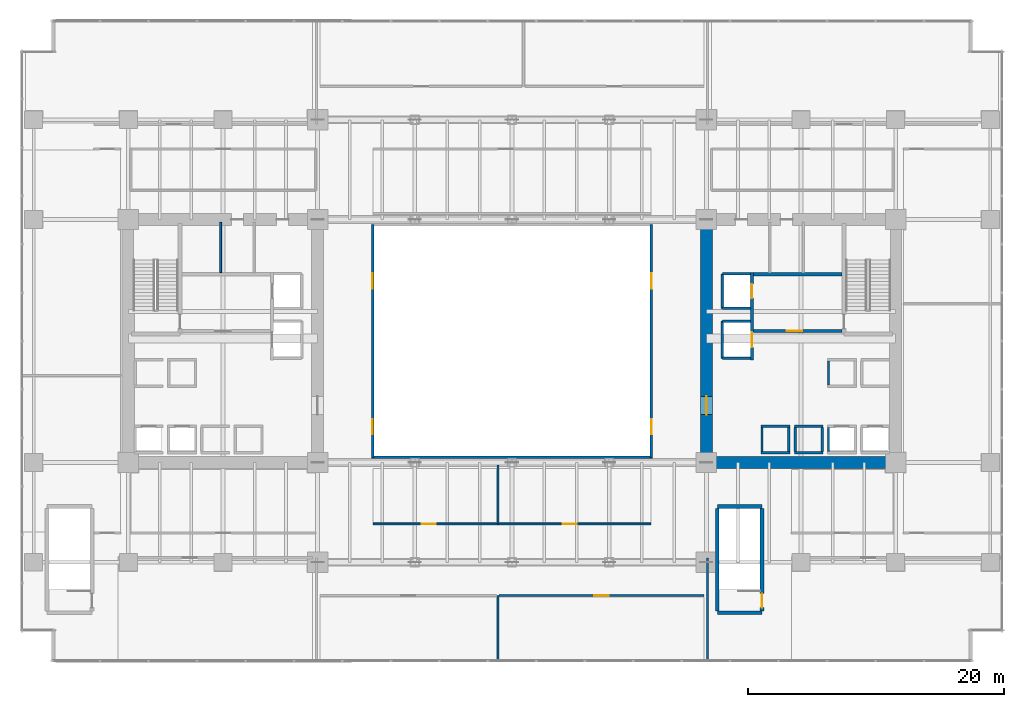
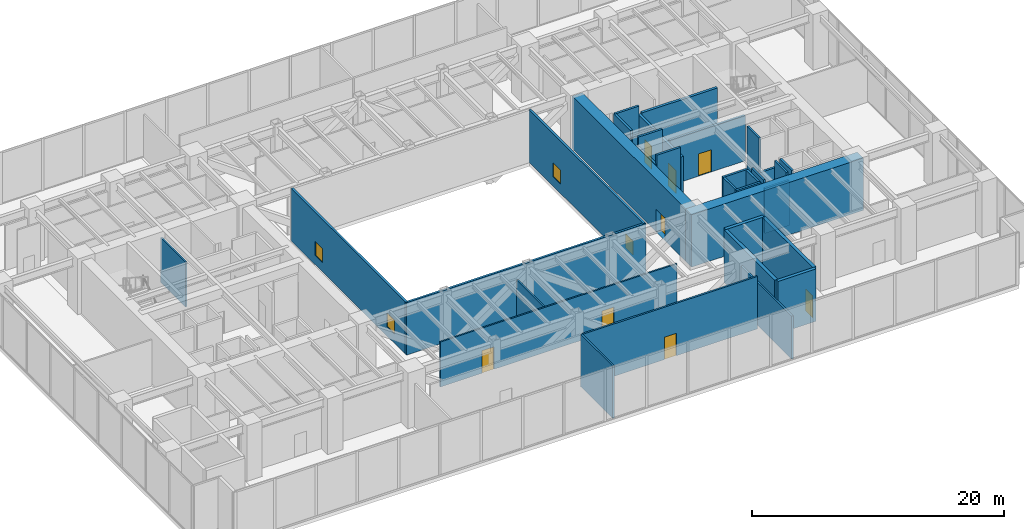
# One storey, part 29 of 35: 34 walls, 8 doors, 4 windows, 12 openings.
"""IFC4 building model written with IfcOpenShell, lengths in metres."""

from ifc_helpers import new_model, si_unit, direction, frame, frame_2d, origin, place, context, subcontext, project, spatial, rectangle, extrude, source, transform, mapped, material, layer, layer_set, type_object, type_shapes, element, fill, save


model = new_model("IFC4")

# Units and contexts
model_context = context("Model", 3, precision=1e-05, world=origin(), true_north=direction((0.0, 1.0)))
body_context = subcontext(model_context, "Body", "Model", "MODEL_VIEW")
ifc_project = project(units=[si_unit("LENGTHUNIT", "METRE"), si_unit("AREAUNIT", "SQUARE_METRE"), si_unit("VOLUMEUNIT", "CUBIC_METRE"), si_unit("PLANEANGLEUNIT", "RADIAN"), si_unit("MASSUNIT", "GRAM", prefix="KILO")], contexts=[model_context])

# Site, building, storey
site_placement = place(None, origin())
site = spatial("IfcSite", under=ifc_project, at=site_placement, CompositionType="ELEMENT")
building_placement = place(site_placement, origin())
building = spatial("IfcBuilding", under=site, at=building_placement, Name="Haelvirn Gate Laboratories", CompositionType="ELEMENT")
storey_placement = place(building_placement, frame((0.0, 0.0, 19.800048828125)))
storey = spatial("IfcBuildingStorey", under=building, at=storey_placement, Name="L05", CompositionType="ELEMENT", Elevation=19.800048828125)

# Wall, openings, windows
ifc_material_1 = material(Name="Tempered fire-rated borosilicate glass & anodised aluminium", Category="aluminium")
ifc_layer_1 = layer(ifc_material_1, 0.195068359375, Name="IW-GLAZ-200")
ifc_layer_set_1 = layer_set([ifc_layer_1], Name="Tempered fire-rated borosilicate glass & anodised aluminium")
wall_type_1 = type_object("IfcWallType", Name="IW-GLAZ-200", PredefinedType="SOLIDWALL", material=ifc_layer_set_1)
wall_1_placement = place(storey_placement, frame((26.5, 15.199951171875, 0.0), z_axis=(0.0, 0.0, 1.0), x_axis=(0.0, 1.0, 0.0)))
wall_1 = element("IfcWall", 1, at=wall_1_placement, inside=storey, type_object=wall_type_1, Name="L05 Interior Wall IW-L05-ATRIUM-W", PredefinedType="SOLIDWALL", context=body_context, shape_type="SweptSolid", body=[
    extrude(rectangle(XDim=18.199951171875, YDim=0.195068359375, at=frame_2d((9.10009765625, 0.0))), origin(), (0.0, 0.0, 1.0), 5.079833984375),
])
opening_1_placement = place(wall_1_placement, frame((1.800048828125, 0.0, 0.89990234375)))
opening_1 = element("IfcOpeningElement", 2, at=opening_1_placement, cuts=wall_1, Name="Opening W6", PredefinedType="OPENING", context=body_context, shape_type="SweptSolid", body=[
    extrude(rectangle(XDim=1.199951171875, YDim=1.35009765625, at=frame_2d((0.60009765625, 0.675048828125))), frame((0.0, 0.107421875, 0.0), z_axis=(0.0, -1.0, 0.0), x_axis=(1.0, 0.0, 0.0)), (0.0, 0.0, 1.0), 0.215087890625),
])
opening_2_placement = place(wall_1_placement, frame((13.199951171875, 0.0, 0.89990234375)))
opening_2 = element("IfcOpeningElement", 3, at=opening_2_placement, cuts=wall_1, Name="Opening W6", PredefinedType="OPENING", context=body_context, shape_type="SweptSolid", body=[
    extrude(rectangle(XDim=1.199951171875, YDim=1.35009765625, at=frame_2d((0.60009765625, 0.675048828125))), frame((0.0, 0.107421875, 0.0), z_axis=(0.0, -1.0, 0.0), x_axis=(1.0, 0.0, 0.0)), (0.0, 0.0, 1.0), 0.215087890625),
])
ifc_material_2 = material(Name="Fire-rated EI 120 borosilicate atrium vision glazing", Category="glass")
window_type = type_object("IfcWindowType", Name="WN-ATR-1200", PartitioningType="SINGLE_PANEL", PredefinedType="WINDOW", material=ifc_material_2)
shared_shape_1 = source(origin(), body_context, "Body", "SweptSolid", [
    extrude(rectangle(XDim=1.199951171875, YDim=1.35009765625, at=frame_2d((0.60009765625, 0.675048828125))), frame((0.0, 0.030029296875, 0.0), z_axis=(0.0, -1.0, 0.0), x_axis=(1.0, 0.0, 0.0)), (0.0, 0.0, 1.0), 0.06005859375),
])
type_shapes(window_type, [shared_shape_1])
window_1_placement = place(opening_1_placement, origin())
window_1 = element("IfcWindow", 4, at=window_1_placement, inside=storey, type_object=window_type, Name="L05 Atrium Observation Window 1", OverallHeight=1.35009765625, OverallWidth=1.199951171875, PartitioningType="SINGLE_PANEL", PredefinedType="WINDOW", context=body_context, shape_type="MappedRepresentation", body=[
    mapped(shared_shape_1, transform((0.0, 0.0, 0.0), scale=1.0)),
])
fill(opening_1, window_1)
window_2_placement = place(opening_2_placement, origin())
window_2 = element("IfcWindow", 5, at=window_2_placement, inside=storey, type_object=window_type, Name="L05 Atrium Observation Window 2", OverallHeight=1.35009765625, OverallWidth=1.199951171875, PartitioningType="SINGLE_PANEL", PredefinedType="WINDOW", context=body_context, shape_type="MappedRepresentation", body=[
    mapped(shared_shape_1, transform((0.0, 0.0, 0.0), scale=1.0)),
])
fill(opening_2, window_2)

wall_2_placement = place(storey_placement, frame((48.300048828125, 15.199951171875, 0.0), z_axis=(0.0, 0.0, 1.0), x_axis=(0.0, 1.0, 0.0)))
wall_2 = element("IfcWall", 6, at=wall_2_placement, inside=storey, type_object=wall_type_1, Name="L05 Interior Wall IW-L05-ATRIUM-E", PredefinedType="SOLIDWALL", context=body_context, shape_type="SweptSolid", body=[
    extrude(rectangle(XDim=18.199951171875, YDim=0.195068359375, at=frame_2d((9.10009765625, 0.0))), origin(), (0.0, 0.0, 1.0), 5.079833984375),
])
opening_3_placement = place(wall_2_placement, frame((1.800048828125, 0.0, 0.89990234375)))
opening_3 = element("IfcOpeningElement", 7, at=opening_3_placement, cuts=wall_2, Name="Opening W6", PredefinedType="OPENING", context=body_context, shape_type="SweptSolid", body=[
    extrude(rectangle(XDim=1.199951171875, YDim=1.35009765625, at=frame_2d((0.60009765625, 0.675048828125))), frame((0.0, 0.107421875, 0.0), z_axis=(0.0, -1.0, 0.0), x_axis=(1.0, 0.0, 0.0)), (0.0, 0.0, 1.0), 0.215087890625),
])
opening_4_placement = place(wall_2_placement, frame((13.199951171875, 0.0, 0.89990234375)))
opening_4 = element("IfcOpeningElement", 8, at=opening_4_placement, cuts=wall_2, Name="Opening W6", PredefinedType="OPENING", context=body_context, shape_type="SweptSolid", body=[
    extrude(rectangle(XDim=1.199951171875, YDim=1.35009765625, at=frame_2d((0.60009765625, 0.675048828125))), frame((0.0, 0.107421875, 0.0), z_axis=(0.0, -1.0, 0.0), x_axis=(1.0, 0.0, 0.0)), (0.0, 0.0, 1.0), 0.215087890625),
])
window_3_placement = place(opening_3_placement, origin())
window_3 = element("IfcWindow", 9, at=window_3_placement, inside=storey, type_object=window_type, Name="L05 Atrium Observation Window 1", OverallHeight=1.35009765625, OverallWidth=1.199951171875, PartitioningType="SINGLE_PANEL", PredefinedType="WINDOW", context=body_context, shape_type="MappedRepresentation", body=[
    mapped(shared_shape_1, transform((0.0, 0.0, 0.0), scale=1.0)),
])
fill(opening_3, window_3)
window_4_placement = place(opening_4_placement, origin())
window_4 = element("IfcWindow", 10, at=window_4_placement, inside=storey, type_object=window_type, Name="L05 Atrium Observation Window 2", OverallHeight=1.35009765625, OverallWidth=1.199951171875, PartitioningType="SINGLE_PANEL", PredefinedType="WINDOW", context=body_context, shape_type="MappedRepresentation", body=[
    mapped(shared_shape_1, transform((0.0, 0.0, 0.0), scale=1.0)),
])
fill(opening_4, window_4)

# Walls
wall_3_placement = place(storey_placement, frame((26.39990234375, 15.199951171875, 0.0), z_axis=(0.0, 0.0, 1.0), x_axis=(1.0, 0.0, 0.0)))
element("IfcWall", 11, at=wall_3_placement, inside=storey, type_object=wall_type_1, Name="L05 Interior Wall IW-L05-ATRIUM-S", PredefinedType="SOLIDWALL", context=body_context, shape_type="SweptSolid", body=[
    extrude(rectangle(XDim=22.0, YDim=0.195068359375, at=frame_2d((11.0, 0.0))), origin(), (0.0, 0.0, 1.0), 5.079833984375),
])
ifc_material_3 = material(Name="Acoustic mineral-wool gypsum board partition", Category="gypsum")
ifc_layer_2 = layer(ifc_material_3, 0.139892578125, Name="IW-PART-140")
ifc_layer_set_2 = layer_set([ifc_layer_2], Name="Acoustic mineral-wool gypsum board partition")
wall_type_2 = type_object("IfcWallType", Name="IW-PART-140", PredefinedType="PARTITIONING", material=ifc_layer_set_2)
wall_4_placement = place(storey_placement, frame((36.300048828125, 10.0, 0.0), z_axis=(0.0, 0.0, 1.0), x_axis=(0.0, 1.0, 0.0)))
element("IfcWall", 12, at=wall_4_placement, inside=storey, type_object=wall_type_2, Name="L05 Interior Wall IW-L05-IS-DIV", PredefinedType="PARTITIONING", context=body_context, shape_type="SweptSolid", body=[
    extrude(rectangle(XDim=4.60009765625, YDim=0.139892578125, at=frame_2d((2.300048828125, 0.0))), origin(), (0.0, 0.0, 1.0), 4.1650390625),
])

# Wall, openings, doors
wall_5_placement = place(storey_placement, frame((26.550048828125, 10.0, 0.0), z_axis=(0.0, 0.0, 1.0), x_axis=(1.0, 0.0, 0.0)))
wall_5 = element("IfcWall", 13, at=wall_5_placement, inside=storey, type_object=wall_type_2, Name="L05 Interior Wall IW-L05-IS1", PredefinedType="PARTITIONING", context=body_context, shape_type="SweptSolid", body=[
    extrude(rectangle(XDim=21.699951171875, YDim=0.139892578125, at=frame_2d((10.85009765625, 0.0))), origin(), (0.0, 0.0, 1.0), 4.364990234375),
])
opening_5_placement = place(wall_5_placement, frame((3.800048828125, 0.0, 0.0)))
opening_5 = element("IfcOpeningElement", 14, at=opening_5_placement, cuts=wall_5, Name="Opening D1", PredefinedType="OPENING", context=body_context, shape_type="SweptSolid", body=[
    extrude(rectangle(XDim=1.10009765625, YDim=2.179931640625, at=frame_2d((0.550048828125, 1.08984375))), frame((0.0, 0.080078125, 0.0), z_axis=(0.0, -1.0, 0.0), x_axis=(1.0, 0.0, 0.0)), (0.0, 0.0, 1.0), 0.159912109375),
])
opening_6_placement = place(wall_5_placement, frame((14.800048828125, 0.0, 0.0)))
opening_6 = element("IfcOpeningElement", 15, at=opening_6_placement, cuts=wall_5, Name="Opening D1", PredefinedType="OPENING", context=body_context, shape_type="SweptSolid", body=[
    extrude(rectangle(XDim=1.10009765625, YDim=2.179931640625, at=frame_2d((0.550048828125, 1.08984375))), frame((0.0, 0.080078125, 0.0), z_axis=(0.0, -1.0, 0.0), x_axis=(1.0, 0.0, 0.0)), (0.0, 0.0, 1.0), 0.159912109375),
])
ifc_material_4 = material(Name="Vision-panel acoustic solid-core timber lab door", Category="wood")
door_type_1 = type_object("IfcDoorType", Name="DR-LAB-1100", OperationType="NOTDEFINED", PredefinedType="DOOR", material=ifc_material_4)
shared_shape_2 = source(origin(), body_context, "Body", "SweptSolid", [
    extrude(rectangle(XDim=1.10009765625, YDim=2.179931640625, at=frame_2d((0.550048828125, 1.08984375))), frame((0.0, 0.02490234375, 0.0), z_axis=(0.0, -1.0, 0.0), x_axis=(1.0, 0.0, 0.0)), (0.0, 0.0, 1.0), 0.050048828125),
])
type_shapes(door_type_1, [shared_shape_2])
door_1_placement = place(opening_5_placement, origin())
door_1 = element("IfcDoor", 16, at=door_1_placement, inside=storey, type_object=door_type_1, Name="L05 Break Pantry Door", OperationType="SINGLE_SWING_LEFT", OverallHeight=2.179931640625, OverallWidth=1.10009765625, PredefinedType="DOOR", context=body_context, shape_type="MappedRepresentation", body=[
    mapped(shared_shape_2, transform((0.0, 0.0, 0.0), scale=1.0)),
])
fill(opening_5, door_1)
door_2_placement = place(opening_6_placement, origin())
door_2 = element("IfcDoor", 17, at=door_2_placement, inside=storey, type_object=door_type_1, Name="L05 Proteomics Lab Door", OperationType="SINGLE_SWING_RIGHT", OverallHeight=2.179931640625, OverallWidth=1.10009765625, PredefinedType="DOOR", context=body_context, shape_type="MappedRepresentation", body=[
    mapped(shared_shape_2, transform((0.0, 0.0, 0.0), scale=1.0)),
])
fill(opening_6, door_2)

# Wall, opening, door
ifc_material_5 = material(Name="Moisture-resistant gypsum laboratory partition", Category="gypsum")
ifc_layer_3 = layer(ifc_material_5, 0.1650390625, Name="IW-PART-160")
ifc_layer_set_3 = layer_set([ifc_layer_3], Name="Moisture-resistant gypsum laboratory partition")
wall_type_3 = type_object("IfcWallType", Name="IW-PART-160", PredefinedType="PARTITIONING", material=ifc_layer_set_3)
wall_6_placement = place(storey_placement, frame((36.39990234375, 4.39990234375, 0.0), z_axis=(0.0, 0.0, 1.0), x_axis=(1.0, 0.0, 0.0)))
wall_6 = element("IfcWall", 18, at=wall_6_placement, inside=storey, type_object=wall_type_3, Name="L05 Interior Wall IW-L05-SOW-3", PredefinedType="PARTITIONING", context=body_context, shape_type="SweptSolid", body=[
    extrude(rectangle(XDim=16.0, YDim=0.1650390625, at=frame_2d((8.0, 0.0))), origin(), (0.0, 0.0, 1.0), 5.079833984375),
])
opening_7_placement = place(wall_6_placement, frame((7.449951171875, 0.0, 0.0)))
opening_7 = element("IfcOpeningElement", 19, at=opening_7_placement, cuts=wall_6, Name="Opening D1", PredefinedType="OPENING", context=body_context, shape_type="SweptSolid", body=[
    extrude(rectangle(XDim=1.10009765625, YDim=2.179931640625, at=frame_2d((0.550048828125, 1.08984375))), frame((0.0, 0.092529296875, 0.0), z_axis=(0.0, -1.0, 0.0), x_axis=(1.0, 0.0, 0.0)), (0.0, 0.0, 1.0), 0.18505859375),
])
door_3_placement = place(opening_7_placement, origin())
door_3 = element("IfcDoor", 20, at=door_3_placement, inside=storey, type_object=door_type_1, Name="L05 Genomics Assay Laboratory Door", OperationType="SINGLE_SWING_LEFT", OverallHeight=2.179931640625, OverallWidth=1.10009765625, PredefinedType="DOOR", context=body_context, shape_type="MappedRepresentation", body=[
    mapped(shared_shape_2, transform((0.0, 0.0, 0.0), scale=1.0)),
])
fill(opening_7, door_3)

# Walls
wall_7_placement = place(storey_placement, frame((36.300048828125, -0.679931640625, 0.0), z_axis=(0.0, 0.0, 1.0), x_axis=(0.0, 1.0, 0.0)))
element("IfcWall", 21, at=wall_7_placement, inside=storey, type_object=wall_type_3, Name="L05 Interior Wall IW-L05-SODIV-M", PredefinedType="PARTITIONING", context=body_context, shape_type="SweptSolid", body=[
    extrude(rectangle(XDim=5.079833984375, YDim=0.1650390625, at=frame_2d((2.5400390625, 0.0))), origin(), (0.0, 0.0, 1.0), 5.079833984375),
])
wall_8_placement = place(storey_placement, frame((52.699951171875, -0.679931640625, 0.0), z_axis=(0.0, 0.0, 1.0), x_axis=(0.0, 1.0, 0.0)))
element("IfcWall", 22, at=wall_8_placement, inside=storey, type_object=wall_type_3, Name="L05 Interior Wall IW-L05-SODIV-E", PredefinedType="PARTITIONING", context=body_context, shape_type="SweptSolid", body=[
    extrude(rectangle(XDim=8.030029296875, YDim=0.1650390625, at=frame_2d((4.01513671875, 0.0))), origin(), (0.0, 0.0, 1.0), 4.1650390625),
])
ifc_material_6 = material(Name="Cement-board restroom plumbing chase wall", Category="gypsum")
ifc_layer_4 = layer(ifc_material_6, 0.155029296875, Name="IW-PLUMB-160")
ifc_layer_set_4 = layer_set([ifc_layer_4], Name="Cement-board restroom plumbing chase wall")
wall_type_4 = type_object("IfcWallType", Name="IW-PLUMB-160", PredefinedType="PLUMBINGWALL", material=ifc_layer_set_4)
wall_9_placement = place(storey_placement, frame((14.610107421875, 29.64990234375, 0.0), z_axis=(0.0, 0.0, 1.0), x_axis=(0.0, 1.0, 0.0)))
element("IfcWall", 23, at=wall_9_placement, inside=storey, type_object=wall_type_4, Name="L05 Interior Wall IW-L05-W-CDIV-0", PredefinedType="PLUMBINGWALL", context=body_context, shape_type="SweptSolid", body=[
    extrude(rectangle(XDim=3.93017578125, YDim=0.155029296875, at=frame_2d((1.965087890625, 0.0))), origin(), (0.0, 0.0, 1.0), 4.364990234375),
])
ifc_material_7 = material(Name="Concrete C40/50", Category="concrete")
ifc_layer_5 = layer(ifc_material_7, 0.179931640625, Name="IW-SHAFT-180")
ifc_layer_set_5 = layer_set([ifc_layer_5], Name="Concrete C40/50")
wall_type_5 = type_object("IfcWallType", Name="IW-SHAFT-180", PredefinedType="SOLIDWALL", material=ifc_layer_set_5)
for number, where, z_axis, x_axis, name in (
    (24, (62.14990234375, 15.64990234375, 0.0), (0.0, 0.0, 1.0), (0.0, 1.0, 0.0), "L05 Interior Wall IW-L05-PL4-SD"),
    (25, (59.550048828125, 15.64990234375, 0.0), (0.0, 0.0, 1.0), (0.0, 1.0, 0.0), "L05 Interior Wall IW-L05-PL7-SD"),
    (26, (61.64990234375, 15.64990234375, 0.0), (0.0, 0.0, 1.0), (0.0, 1.0, 0.0), "L05 Interior Wall IW-L05-PL7-SDE"),
    (27, (56.949951171875, 15.64990234375, 0.0), (0.0, 0.0, 1.0), (0.0, 1.0, 0.0), "L05 Interior Wall IW-L05-PL8-SD"),
    (28, (59.050048828125, 15.64990234375, 0.0), (0.0, 0.0, 1.0), (0.0, 1.0, 0.0), "L05 Interior Wall IW-L05-PL8-SDE"),
):
    element("IfcWall", number, at=place(storey_placement, frame(where, z_axis=z_axis, x_axis=x_axis)), inside=storey, type_object=wall_type_5, Name=name, PredefinedType="SOLIDWALL", context=body_context, shape_type="SweptSolid", body=[
        extrude(rectangle(XDim=1.900146484375, YDim=0.179931640625, at=frame_2d((0.9501953125, 0.0))), origin(), (0.0, 0.0, 1.0), 5.079833984375),
    ])
wall_10_placement = place(storey_placement, frame((62.14990234375, 20.85009765625, 0.0), z_axis=(0.0, 0.0, 1.0), x_axis=(0.0, 1.0, 0.0)))
element("IfcWall", 29, at=wall_10_placement, inside=storey, type_object=wall_type_5, Name="L05 Interior Wall IW-L05-PL12-SD", PredefinedType="SOLIDWALL", context=body_context, shape_type="SweptSolid", body=[
    extrude(rectangle(XDim=1.89990234375, YDim=0.179931640625, at=frame_2d((0.949951171875, 0.0))), origin(), (0.0, 0.0, 1.0), 5.079833984375),
])
ifc_layer_6 = layer(ifc_material_7, 0.199951171875, Name="IW-SHAFT-200")
ifc_layer_set_6 = layer_set([ifc_layer_6], Name="Concrete C40/50")
wall_type_6 = type_object("IfcWallType", Name="IW-SHAFT-200", PredefinedType="SOLIDWALL", material=ifc_layer_set_6)
for number, where, z_axis, x_axis, name in (
    (30, (59.469970703125, 17.64990234375, 0.0), (0.0, 0.0, 1.0), (1.0, 0.0, 0.0), "L05 Interior Wall IW-L05-PL7-FR"),
    (31, (59.469970703125, 15.550048828125, 0.0), (0.0, 0.0, 1.0), (1.0, 0.0, 0.0), "L05 Interior Wall IW-L05-PL7-BK"),
):
    element("IfcWall", number, at=place(storey_placement, frame(where, z_axis=z_axis, x_axis=x_axis)), inside=storey, type_object=wall_type_6, Name=name, PredefinedType="SOLIDWALL", context=body_context, shape_type="SweptSolid", body=[
        extrude(rectangle(XDim=2.260009765625, YDim=0.199951171875, at=frame_2d((1.1298828125, 0.0))), origin(), (0.0, 0.0, 1.0), 4.364990234375),
    ])
for number, where, z_axis, x_axis, name in (
    (32, (56.8701171875, 17.64990234375, 0.0), (0.0, 0.0, 1.0), (1.0, 0.0, 0.0), "L05 Interior Wall IW-L05-PL8-FR"),
    (33, (56.8701171875, 15.550048828125, 0.0), (0.0, 0.0, 1.0), (1.0, 0.0, 0.0), "L05 Interior Wall IW-L05-PL8-BK"),
):
    element("IfcWall", number, at=place(storey_placement, frame(where, z_axis=z_axis, x_axis=x_axis)), inside=storey, type_object=wall_type_6, Name=name, PredefinedType="SOLIDWALL", context=body_context, shape_type="SweptSolid", body=[
        extrude(rectangle(XDim=2.259765625, YDim=0.199951171875, at=frame_2d((1.1298828125, 0.0))), origin(), (0.0, 0.0, 1.0), 5.079833984375),
    ])
wall_11_placement = place(storey_placement, frame((53.85009765625, 26.85009765625, 0.0), z_axis=(0.0, 0.0, 1.0), x_axis=(0.0, 1.0, 0.0)))
element("IfcWall", 34, at=wall_11_placement, inside=storey, type_object=wall_type_6, Name="L05 Interior Wall IW-L05-FL2-BK", PredefinedType="SOLIDWALL", context=body_context, shape_type="SweptSolid", body=[
    extrude(rectangle(XDim=2.699951171875, YDim=0.199951171875, at=frame_2d((1.35009765625, 0.0))), origin(), (0.0, 0.0, 1.0), 5.079833984375),
])
wall_12_placement = place(storey_placement, frame((53.85009765625, 29.550048828125, 0.0), z_axis=(0.0, 0.0, 1.0), x_axis=(1.0, 0.0, 0.0)))
element("IfcWall", 35, at=wall_12_placement, inside=storey, type_object=wall_type_6, Name="L05 Interior Wall IW-L05-FL2-N", PredefinedType="SOLIDWALL", context=body_context, shape_type="SweptSolid", body=[
    extrude(rectangle(XDim=2.18994140625, YDim=0.199951171875, at=frame_2d((1.094970703125, 0.0))), origin(), (0.0, 0.0, 1.0), 5.079833984375),
])
wall_13_placement = place(storey_placement, frame((53.85009765625, 26.85009765625, 0.0), z_axis=(0.0, 0.0, 1.0), x_axis=(1.0, 0.0, 0.0)))
element("IfcWall", 36, at=wall_13_placement, inside=storey, type_object=wall_type_6, Name="L05 Interior Wall IW-L05-FL2-S", PredefinedType="SOLIDWALL", context=body_context, shape_type="SweptSolid", body=[
    extrude(rectangle(XDim=2.18994140625, YDim=0.199951171875, at=frame_2d((1.094970703125, 0.0))), origin(), (0.0, 0.0, 1.0), 4.47705078125),
])
wall_14_placement = place(storey_placement, frame((53.85009765625, 22.949951171875, 0.0), z_axis=(0.0, 0.0, 1.0), x_axis=(0.0, 1.0, 0.0)))
element("IfcWall", 37, at=wall_14_placement, inside=storey, type_object=wall_type_6, Name="L05 Interior Wall IW-L05-SL2-BK", PredefinedType="SOLIDWALL", context=body_context, shape_type="SweptSolid", body=[
    extrude(rectangle(XDim=2.900146484375, YDim=0.199951171875, at=frame_2d((1.4501953125, 0.0))), origin(), (0.0, 0.0, 1.0), 4.1650390625),
])
for number, where, z_axis, x_axis, name in (
    (38, (53.85009765625, 25.85009765625, 0.0), (0.0, 0.0, 1.0), (1.0, 0.0, 0.0), "L05 Interior Wall IW-L05-SL2-N"),
    (39, (53.85009765625, 22.949951171875, 0.0), (0.0, 0.0, 1.0), (1.0, 0.0, 0.0), "L05 Interior Wall IW-L05-SL2-S"),
):
    element("IfcWall", number, at=place(storey_placement, frame(where, z_axis=z_axis, x_axis=x_axis)), inside=storey, type_object=wall_type_6, Name=name, PredefinedType="SOLIDWALL", context=body_context, shape_type="SweptSolid", body=[
        extrude(rectangle(XDim=2.18994140625, YDim=0.199951171875, at=frame_2d((1.094970703125, 0.0))), origin(), (0.0, 0.0, 1.0), 5.079833984375),
    ])

# Wall, opening, door
ifc_layer_7 = layer(ifc_material_7, 0.239990234375, Name="IW-SHAFT-240")
ifc_layer_set_7 = layer_set([ifc_layer_7], Name="Concrete C40/50")
wall_type_7 = type_object("IfcWallType", Name="IW-SHAFT-240", PredefinedType="SOLIDWALL", material=ifc_layer_set_7)
wall_15_placement = place(storey_placement, frame((56.280029296875, 25.080078125, 0.0), z_axis=(0.0, 0.0, 1.0), x_axis=(1.0, 0.0, 0.0)))
wall_15 = element("IfcWall", 40, at=wall_15_placement, inside=storey, type_object=wall_type_7, Name="L05 Interior Wall IW-L05-E-FF-S", PredefinedType="SOLIDWALL", context=body_context, shape_type="SweptSolid", body=[
    extrude(rectangle(XDim=6.919921875, YDim=0.239990234375, at=frame_2d((3.4599609375, 0.0))), origin(), (0.0, 0.0, 1.0), 4.364990234375),
])
opening_8_placement = place(wall_15_placement, frame((2.60009765625, 0.0, 0.0)))
opening_8 = element("IfcOpeningElement", 41, at=opening_8_placement, cuts=wall_15, Name="Opening FD2", PredefinedType="OPENING", context=body_context, shape_type="SweptSolid", body=[
    extrude(rectangle(XDim=1.199951171875, YDim=2.159912109375, at=frame_2d((0.60009765625, 1.080078125))), frame((0.0, 0.1298828125, 0.0), z_axis=(0.0, -1.0, 0.0), x_axis=(1.0, 0.0, 0.0)), (0.0, 0.0, 1.0), 0.260009765625),
])
ifc_material_8 = material(Name="Fire-rated steel SM355 compartment door", Category="steel")
door_type_2 = type_object("IfcDoorType", Name="DR-FD-1200", OperationType="NOTDEFINED", PredefinedType="DOOR", material=ifc_material_8)
shared_shape_3 = source(origin(), body_context, "Body", "SweptSolid", [
    extrude(rectangle(XDim=1.199951171875, YDim=2.159912109375, at=frame_2d((0.60009765625, 1.080078125))), frame((0.0, 0.02490234375, 0.0), z_axis=(0.0, -1.0, 0.0), x_axis=(1.0, 0.0, 0.0)), (0.0, 0.0, 1.0), 0.050048828125),
])
type_shapes(door_type_2, [shared_shape_3])
door_4_placement = place(opening_8_placement, origin())
door_4 = element("IfcDoor", 42, at=door_4_placement, inside=storey, type_object=door_type_2, Name="L05 East Firefighting Lobby Door", OperationType="SINGLE_SWING_LEFT", OverallHeight=2.159912109375, OverallWidth=1.199951171875, PredefinedType="DOOR", context=body_context, shape_type="MappedRepresentation", body=[
    mapped(shared_shape_3, transform((0.0, 0.0, 0.0), scale=1.0)),
])
fill(opening_8, door_4)

# Wall
wall_16_placement = place(storey_placement, frame((56.280029296875, 29.52001953125, 0.0), z_axis=(0.0, 0.0, 1.0), x_axis=(1.0, 0.0, 0.0)))
element("IfcWall", 43, at=wall_16_placement, inside=storey, type_object=wall_type_7, Name="L05 Interior Wall IW-L05-E-FF-N", PredefinedType="SOLIDWALL", context=body_context, shape_type="SweptSolid", body=[
    extrude(rectangle(XDim=6.919921875, YDim=0.239990234375, at=frame_2d((3.4599609375, 0.0))), origin(), (0.0, 0.0, 1.0), 4.364990234375),
])

# Wall, openings, doors
wall_17_placement = place(storey_placement, frame((56.159912109375, 22.800048828125, 0.0), z_axis=(0.0, 0.0, 1.0), x_axis=(0.0, 1.0, 0.0)))
wall_17 = element("IfcWall", 44, at=wall_17_placement, inside=storey, type_object=wall_type_7, Name="L05 Interior Wall IW-L05-E-FF-E", PredefinedType="SOLIDWALL", context=body_context, shape_type="SweptSolid", body=[
    extrude(rectangle(XDim=6.849853515625, YDim=0.239990234375, at=frame_2d((3.4248046875, 0.0))), origin(), (0.0, 0.0, 1.0), 4.1650390625),
])
opening_9_placement = place(wall_17_placement, frame((4.85009765625, 0.0, 0.0)))
opening_9 = element("IfcOpeningElement", 45, at=opening_9_placement, cuts=wall_17, Name="Opening LD2", PredefinedType="OPENING", context=body_context, shape_type="SweptSolid", body=[
    extrude(rectangle(XDim=1.10009765625, YDim=2.219970703125, at=frame_2d((0.550048828125, 1.10986328125))), frame((0.0, 0.1298828125, 0.0), z_axis=(0.0, -1.0, 0.0), x_axis=(1.0, 0.0, 0.0)), (0.0, 0.0, 1.0), 0.260009765625),
])
opening_10_placement = place(wall_17_placement, frame((1.0, 0.0, 0.0)))
opening_10 = element("IfcOpeningElement", 46, at=opening_10_placement, cuts=wall_17, Name="Opening LD1", PredefinedType="OPENING", context=body_context, shape_type="SweptSolid", body=[
    extrude(rectangle(XDim=1.199951171875, YDim=2.219970703125, at=frame_2d((0.60009765625, 1.10986328125))), frame((0.0, 0.1298828125, 0.0), z_axis=(0.0, -1.0, 0.0), x_axis=(1.0, 0.0, 0.0)), (0.0, 0.0, 1.0), 0.260009765625),
])
ifc_material_9 = material(Name="Bronze stainless 316L sliding lift landing door")
door_type_3 = type_object("IfcDoorType", Name="DR-LD-1100", OperationType="NOTDEFINED", PredefinedType="USERDEFINED", material=ifc_material_9)
shared_shape_4 = source(origin(), body_context, "Body", "SweptSolid", [
    extrude(rectangle(XDim=1.10009765625, YDim=2.219970703125, at=frame_2d((0.550048828125, 1.10986328125))), frame((0.0, 0.02490234375, 0.0), z_axis=(0.0, -1.0, 0.0), x_axis=(1.0, 0.0, 0.0)), (0.0, 0.0, 1.0), 0.050048828125),
])
type_shapes(door_type_3, [shared_shape_4])
door_5_placement = place(opening_9_placement, origin())
door_5 = element("IfcDoor", 47, at=door_5_placement, inside=storey, type_object=door_type_3, Name="L05 Firefighting Lift FL2 Landing Door", ObjectType="LANDING_DOOR", OperationType="SLIDING_TO_RIGHT", OverallHeight=2.219970703125, OverallWidth=1.10009765625, PredefinedType="USERDEFINED", context=body_context, shape_type="MappedRepresentation", body=[
    mapped(shared_shape_4, transform((0.0, 0.0, 0.0), scale=1.0)),
])
fill(opening_9, door_5)
ifc_material_10 = material(Name="Stainless steel 316L sliding goods landing door", Category="steel")
door_type_4 = type_object("IfcDoorType", Name="DR-LD-1200", OperationType="NOTDEFINED", PredefinedType="USERDEFINED", material=ifc_material_10)
shared_shape_5 = source(origin(), body_context, "Body", "SweptSolid", [
    extrude(rectangle(XDim=1.199951171875, YDim=2.219970703125, at=frame_2d((0.60009765625, 1.10986328125))), frame((0.0, 0.02490234375, 0.0), z_axis=(0.0, -1.0, 0.0), x_axis=(1.0, 0.0, 0.0)), (0.0, 0.0, 1.0), 0.050048828125),
])
type_shapes(door_type_4, [shared_shape_5])
door_6_placement = place(opening_10_placement, origin())
door_6 = element("IfcDoor", 48, at=door_6_placement, inside=storey, type_object=door_type_4, Name="L05 Service Lift SL2 Landing Door", ObjectType="LANDING_DOOR", OperationType="SLIDING_TO_LEFT", OverallHeight=2.219970703125, OverallWidth=1.199951171875, PredefinedType="USERDEFINED", context=body_context, shape_type="MappedRepresentation", body=[
    mapped(shared_shape_5, transform((0.0, 0.0, 0.0), scale=1.0)),
])
fill(opening_10, door_6)

# Wall
ifc_material_11 = material(Name="Concrete C70/85", Category="concrete")
ifc_layer_8 = layer(ifc_material_11, 0.949951171875, Name="SW-CORE-950")
ifc_layer_set_8 = layer_set([ifc_layer_8], Name="Concrete C70/85")
wall_type_8 = type_object("IfcWallType", Name="SW-CORE-950", PredefinedType="SHEAR", material=ifc_layer_set_8)
wall_18_placement = place(storey_placement, frame((52.125, 14.800048828125, 0.0), z_axis=(0.0, 0.0, 1.0), x_axis=(1.0, 0.0, 0.0)))
element("IfcWall", 49, at=wall_18_placement, inside=storey, type_object=wall_type_8, Name="L05 E Core Shear Wall S", PredefinedType="SHEAR", context=body_context, shape_type="SweptSolid", body=[
    extrude(rectangle(XDim=15.75, YDim=0.949951171875, at=frame_2d((7.875, 0.0))), origin(), (0.0, 0.0, 1.0), 5.079833984375),
])

# Wall, opening, door
wall_19_placement = place(storey_placement, frame((52.60009765625, 15.27490234375, 0.0), z_axis=(0.0, 0.0, 1.0), x_axis=(0.0, 1.0, 0.0)))
wall_19 = element("IfcWall", 50, at=wall_19_placement, inside=storey, type_object=wall_type_8, Name="L05 E Core Shear Wall W", PredefinedType="SHEAR", context=body_context, shape_type="SweptSolid", body=[
    extrude(rectangle(XDim=18.050048828125, YDim=0.949951171875, at=frame_2d((9.02490234375, 0.0))), origin(), (0.0, 0.0, 1.0), 5.079833984375),
])
opening_11_placement = place(wall_19_placement, frame((3.27490234375, 0.0, 0.0)))
opening_11 = element("IfcOpeningElement", 51, at=opening_11_placement, cuts=wall_19, Name="Opening FD1", PredefinedType="OPENING", context=body_context, shape_type="SweptSolid", body=[
    extrude(rectangle(XDim=1.419921875, YDim=2.199951171875, at=frame_2d((0.7099609375, 1.10009765625))), frame((0.0, 0.48486328125, 0.0), z_axis=(0.0, -1.0, 0.0), x_axis=(1.0, 0.0, 0.0)), (0.0, 0.0, 1.0), 0.969970703125),
])
ifc_material_12 = material(Name="Fire-rated double steel SM355 lobby door", Category="steel")
door_type_5 = type_object("IfcDoorType", Name="DR-FD-1400", OperationType="NOTDEFINED", PredefinedType="DOOR", material=ifc_material_12)
shared_shape_6 = source(origin(), body_context, "Body", "SweptSolid", [
    extrude(rectangle(XDim=1.419921875, YDim=2.199951171875, at=frame_2d((0.7099609375, 1.10009765625))), frame((0.0, 0.02490234375, 0.0), z_axis=(0.0, -1.0, 0.0), x_axis=(1.0, 0.0, 0.0)), (0.0, 0.0, 1.0), 0.050048828125),
])
type_shapes(door_type_5, [shared_shape_6])
door_7_placement = place(opening_11_placement, origin())
door_7 = element("IfcDoor", 52, at=door_7_placement, inside=storey, type_object=door_type_5, Name="L05 East Core Lift Lobby Fire Door", OperationType="DOUBLE_DOOR_SINGLE_SWING", OverallHeight=2.199951171875, OverallWidth=1.419921875, PredefinedType="DOOR", context=body_context, shape_type="MappedRepresentation", body=[
    mapped(shared_shape_6, transform((0.0, 0.0, 0.0), scale=1.0)),
])
fill(opening_11, door_7)

# Walls
ifc_material_13 = material(Name="Concrete C50/60", Category="concrete")
ifc_layer_9 = layer(ifc_material_13, 0.300048828125, Name="SW-STAIR-300")
ifc_layer_set_9 = layer_set([ifc_layer_9], Name="Concrete C50/60")
wall_type_9 = type_object("IfcWallType", Name="SW-STAIR-300", PredefinedType="SHEAR", material=ifc_layer_set_9)
for number, where, z_axis, x_axis, name in (
    (53, (53.449951171875, 3.050048828125, 0.0), (0.0, 0.0, 1.0), (1.0, 0.0, 0.0), "L05 Podium Stair ST4 Structural Wall S"),
    (54, (53.449951171875, 11.35009765625, 0.0), (0.0, 0.0, 1.0), (1.0, 0.0, 0.0), "L05 Podium Stair ST4 Structural Wall N"),
):
    element("IfcWall", number, at=place(storey_placement, frame(where, z_axis=z_axis, x_axis=x_axis)), inside=storey, type_object=wall_type_9, Name=name, PredefinedType="SHEAR", context=body_context, shape_type="SweptSolid", body=[
        extrude(rectangle(XDim=3.5, YDim=0.300048828125, at=frame_2d((1.75, 0.0))), origin(), (0.0, 0.0, 1.0), 5.079833984375),
    ])
wall_20_placement = place(storey_placement, frame((53.449951171875, 3.199951171875, 0.0), z_axis=(0.0, 0.0, 1.0), x_axis=(0.0, 1.0, 0.0)))
element("IfcWall", 55, at=wall_20_placement, inside=storey, type_object=wall_type_9, Name="L05 Podium Stair ST4 Structural Wall W", PredefinedType="SHEAR", context=body_context, shape_type="SweptSolid", body=[
    extrude(rectangle(XDim=8.0, YDim=0.300048828125, at=frame_2d((4.0, 0.0))), origin(), (0.0, 0.0, 1.0), 5.079833984375),
])

# Wall, opening, door
wall_21_placement = place(storey_placement, frame((56.949951171875, 3.199951171875, 0.0), z_axis=(0.0, 0.0, 1.0), x_axis=(0.0, 1.0, 0.0)))
wall_21 = element("IfcWall", 56, at=wall_21_placement, inside=storey, type_object=wall_type_9, Name="L05 Podium Stair ST4 Structural Wall E", PredefinedType="SHEAR", context=body_context, shape_type="SweptSolid", body=[
    extrude(rectangle(XDim=8.0, YDim=0.300048828125, at=frame_2d((4.0, 0.0))), origin(), (0.0, 0.0, 1.0), 5.079833984375),
])
opening_12_placement = place(wall_21_placement, frame((0.25, 0.0, 0.0)))
opening_12 = element("IfcOpeningElement", 57, at=opening_12_placement, cuts=wall_21, Name="Opening FD3", PredefinedType="OPENING", context=body_context, shape_type="SweptSolid", body=[
    extrude(rectangle(XDim=1.10009765625, YDim=2.14990234375, at=frame_2d((0.550048828125, 1.074951171875))), frame((0.0, 0.16015625, 0.0), z_axis=(0.0, -1.0, 0.0), x_axis=(1.0, 0.0, 0.0)), (0.0, 0.0, 1.0), 0.320068359375),
])
ifc_material_14 = material(Name="Fire-rated steel SM355 escape stair door", Category="steel")
door_type_6 = type_object("IfcDoorType", Name="DR-FD-1100", OperationType="NOTDEFINED", PredefinedType="DOOR", material=ifc_material_14)
shared_shape_7 = source(origin(), body_context, "Body", "SweptSolid", [
    extrude(rectangle(XDim=1.10009765625, YDim=2.14990234375, at=frame_2d((0.550048828125, 1.074951171875))), frame((0.0, 0.02490234375, 0.0), z_axis=(0.0, -1.0, 0.0), x_axis=(1.0, 0.0, 0.0)), (0.0, 0.0, 1.0), 0.050048828125),
])
type_shapes(door_type_6, [shared_shape_7])
door_8_placement = place(opening_12_placement, origin())
door_8 = element("IfcDoor", 58, at=door_8_placement, inside=storey, type_object=door_type_6, Name="L05 Escape Stair ST4 Fire Door", OperationType="SINGLE_SWING_RIGHT", OverallHeight=2.14990234375, OverallWidth=1.10009765625, PredefinedType="DOOR", context=body_context, shape_type="MappedRepresentation", body=[
    mapped(shared_shape_7, transform((0.0, 0.0, 0.0), scale=1.0)),
])
fill(opening_12, door_8)

save(model, "model.ifc")
